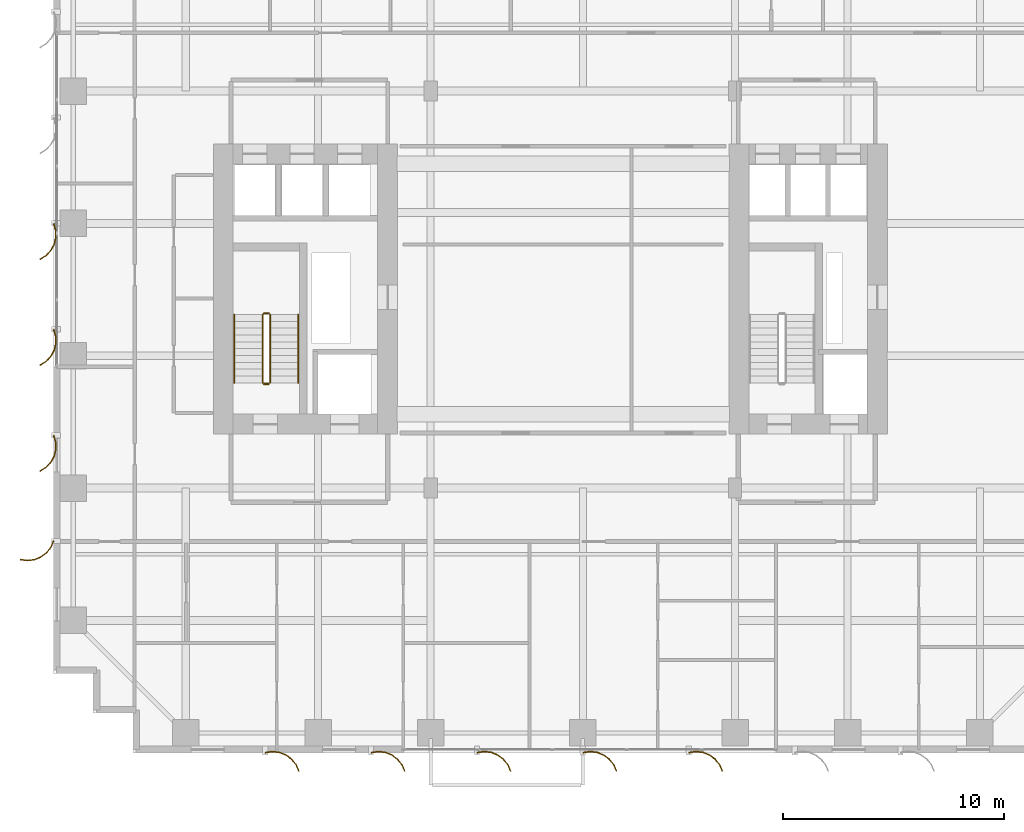
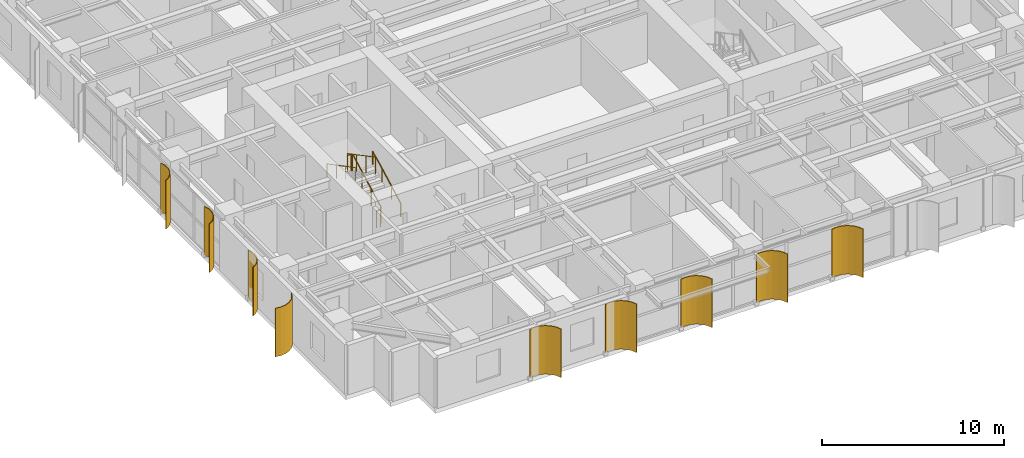
# One storey, part 22 of 25: 9 shading devices, 6 railings.
"""IFC4 building model written with IfcOpenShell, lengths in metres."""

from ifc_helpers import new_model, si_unit, direction, frame, origin, origin_2d, place, context, subcontext, project, spatial, polyline, circle, outline, extrude, source, transform, mapped, material, layer, layer_set, type_object, element, save


model = new_model("IFC4")

# Units and contexts
model_context = context("Model", 3, precision=1e-05, world=origin(), true_north=direction((0.0, 1.0)))
body_context = subcontext(model_context, "Body", "Model", "MODEL_VIEW")
ifc_project = project(units=[si_unit("LENGTHUNIT", "METRE"), si_unit("AREAUNIT", "SQUARE_METRE"), si_unit("VOLUMEUNIT", "CUBIC_METRE"), si_unit("PLANEANGLEUNIT", "RADIAN"), si_unit("MASSUNIT", "GRAM", prefix="KILO")], contexts=[model_context])

# Site, building, storey
site_placement = place(None, origin())
site = spatial("IfcSite", under=ifc_project, at=site_placement, CompositionType="ELEMENT")
building_placement = place(site_placement, origin())
building = spatial("IfcBuilding", under=site, at=building_placement, Name="Khoralis Quay Care Tower", CompositionType="ELEMENT")
storey_placement = place(building_placement, frame((0.0, 0.0, 65.699951171875)))
storey = spatial("IfcBuildingStorey", under=building, at=storey_placement, Name="L17", CompositionType="ELEMENT", Elevation=65.699951171875)

# Railings
ifc_material_1 = material(Name="Brushed stainless steel", Category="steel")
railing_type_1 = type_object("IfcRailingType", Name="RL-GUARD-1150", PredefinedType="GUARDRAIL", material=ifc_material_1)
railing_1_placement = place(storey_placement, frame((9.820068359375, 16.77001953125, 0.16357421875)))
element("IfcRailing", 1, at=railing_1_placement, inside=storey, type_object=railing_type_1, Name="L17 ST-T1 stair guard 1", PredefinedType="GUARDRAIL", context=body_context, shape_type="SweptSolid", body=[
    extrude(circle(Radius=0.02392578125, at=origin_2d()), frame((0.0, 0.0, 1.1259765625), z_axis=(0.0, 0.884348015382, 0.466828220752), x_axis=(-1.0, 0.0, 0.0)), (0.0, 0.0, 1.0), 3.505615234375),
    extrude(circle(Radius=0.02099609375, at=origin_2d()), origin(), (0.0, 0.0, 1.0), 1.101806640625),
    extrude(circle(Radius=0.02099609375, at=origin_2d()), frame((0.0, 1.033447265625, 0.54541015625)), (0.0, 0.0, 1.0), 1.101806640625),
    extrude(circle(Radius=0.02099609375, at=origin_2d()), frame((0.0, 2.066650390625, 1.091064453125)), (0.0, 0.0, 1.0), 1.101806640625),
    extrude(circle(Radius=0.02099609375, at=origin_2d()), frame((0.0, 3.10009765625, 1.636474609375)), (0.0, 0.0, 1.0), 1.101806640625),
])
railing_2_placement = place(storey_placement, frame((9.77001953125, 19.919921875, 1.800048828125)))
element("IfcRailing", 2, at=railing_2_placement, inside=storey, type_object=railing_type_1, Name="L17 ST-T1 stair guard 2", PredefinedType="GUARDRAIL", context=body_context, shape_type="SweptSolid", body=[
    extrude(circle(Radius=0.02392578125, at=origin_2d()), frame((0.0, 0.0, 1.1259765625), z_axis=(-1.0, 0.0, 0.0), x_axis=(0.0, -1.0, 0.0)), (0.0, 0.0, 1.0), 0.239990234375),
    extrude(circle(Radius=0.02099609375, at=origin_2d()), origin(), (0.0, 0.0, 1.0), 1.101806640625),
    extrude(circle(Radius=0.02099609375, at=origin_2d()), frame((-0.239990234375, 0.0, 0.0)), (0.0, 0.0, 1.0), 1.101806640625),
])
railing_3_placement = place(storey_placement, frame((9.47998046875, 19.8701171875, 1.963623046875)))
element("IfcRailing", 3, at=railing_3_placement, inside=storey, type_object=railing_type_1, Name="L17 ST-T1 stair guard 3", PredefinedType="GUARDRAIL", context=body_context, shape_type="SweptSolid", body=[
    extrude(circle(Radius=0.02392578125, at=origin_2d()), frame((0.0, 0.0, 1.1259765625), z_axis=(0.0, -0.884348015382, 0.466828220752), x_axis=(1.0, 0.0, 0.0)), (0.0, 0.0, 1.0), 3.505615234375),
    extrude(circle(Radius=0.02099609375, at=origin_2d()), origin(), (0.0, 0.0, 1.0), 1.101806640625),
    extrude(circle(Radius=0.02099609375, at=origin_2d()), frame((0.0, -1.033447265625, 0.54541015625)), (0.0, 0.0, 1.0), 1.101806640625),
    extrude(circle(Radius=0.02099609375, at=origin_2d()), frame((0.0, -2.066650390625, 1.091064453125)), (0.0, 0.0, 1.0), 1.101806640625),
    extrude(circle(Radius=0.02099609375, at=origin_2d()), frame((0.0, -3.10009765625, 1.636474609375)), (0.0, 0.0, 1.0), 1.101806640625),
])
railing_4_placement = place(storey_placement, frame((9.77001953125, 16.719970703125, 0.0)))
element("IfcRailing", 4, at=railing_4_placement, inside=storey, type_object=railing_type_1, Name="L17 ST-T1 stair guard 4", PredefinedType="GUARDRAIL", context=body_context, shape_type="SweptSolid", body=[
    extrude(circle(Radius=0.02392578125, at=origin_2d()), frame((0.0, 0.0, 1.1259765625), z_axis=(-1.0, 0.0, 0.0), x_axis=(0.0, -1.0, 0.0)), (0.0, 0.0, 1.0), 0.239990234375),
    extrude(circle(Radius=0.02099609375, at=origin_2d()), origin(), (0.0, 0.0, 1.0), 1.101806640625),
    extrude(circle(Radius=0.02099609375, at=origin_2d()), frame((-0.239990234375, 0.0, 0.0)), (0.0, 0.0, 1.0), 1.101806640625),
])
railing_type_2 = type_object("IfcRailingType", Name="RL-HAND-900", PredefinedType="HANDRAIL", material=ifc_material_1)
railing_5_placement = place(storey_placement, frame((11.10009765625, 16.77001953125, 0.16357421875)))
element("IfcRailing", 5, at=railing_5_placement, inside=storey, type_object=railing_type_2, Name="L17 ST-T1 stair handrail 1", PredefinedType="HANDRAIL", context=body_context, shape_type="SweptSolid", body=[
    extrude(circle(Radius=0.02392578125, at=origin_2d()), frame((0.0, 0.0, 0.8759765625), z_axis=(0.0, 0.884348015382, 0.466828220752), x_axis=(-1.0, 0.0, 0.0)), (0.0, 0.0, 1.0), 3.505615234375),
    extrude(circle(Radius=0.02099609375, at=origin_2d()), origin(), (0.0, 0.0, 1.0), 0.851806640625),
    extrude(circle(Radius=0.02099609375, at=origin_2d()), frame((0.0, 1.033447265625, 0.54541015625)), (0.0, 0.0, 1.0), 0.851806640625),
    extrude(circle(Radius=0.02099609375, at=origin_2d()), frame((0.0, 2.066650390625, 1.091064453125)), (0.0, 0.0, 1.0), 0.851806640625),
    extrude(circle(Radius=0.02099609375, at=origin_2d()), frame((0.0, 3.10009765625, 1.636474609375)), (0.0, 0.0, 1.0), 0.851806640625),
])
railing_6_placement = place(storey_placement, frame((8.199951171875, 19.8701171875, 1.963623046875)))
element("IfcRailing", 6, at=railing_6_placement, inside=storey, type_object=railing_type_2, Name="L17 ST-T1 stair handrail 2", PredefinedType="HANDRAIL", context=body_context, shape_type="SweptSolid", body=[
    extrude(circle(Radius=0.02392578125, at=origin_2d()), frame((0.0, 0.0, 0.8759765625), z_axis=(0.0, -0.884348015382, 0.466828220752), x_axis=(1.0, 0.0, 0.0)), (0.0, 0.0, 1.0), 3.505615234375),
    extrude(circle(Radius=0.02099609375, at=origin_2d()), origin(), (0.0, 0.0, 1.0), 0.851806640625),
    extrude(circle(Radius=0.02099609375, at=origin_2d()), frame((0.0, -1.033447265625, 0.54541015625)), (0.0, 0.0, 1.0), 0.851806640625),
    extrude(circle(Radius=0.02099609375, at=origin_2d()), frame((0.0, -2.066650390625, 1.091064453125)), (0.0, 0.0, 1.0), 0.851806640625),
    extrude(circle(Radius=0.02099609375, at=origin_2d()), frame((0.0, -3.10009765625, 1.636474609375)), (0.0, 0.0, 1.0), 0.851806640625),
])

# Shading devices
ifc_material_2 = material(Name="Brushed pale anodised aluminium", Category="aluminium")
ifc_layer = layer(ifc_material_2, 0.044921875)
ifc_layer_set = layer_set([ifc_layer], Name="Brushed pale anodised aluminium")
shading_device_type = type_object("IfcShadingDeviceType", Name="SHD-FIN-1250", PredefinedType="USERDEFINED", material=ifc_layer_set)
shared_shape_1 = source(origin(), body_context, "Body", "SweptSolid", [
    extrude(outline(polyline([(0.0, 0.0), (0.130126953125, 0.29931640625), (0.333251953125, 0.5546875), (0.595458984375, 0.748779296875), (0.899169921875, 0.868408203125), (1.223388671875, 0.9052734375), (1.546142578125, 0.85693359375), (1.53369140625, 0.813720703125), (1.22265625, 0.8603515625), (0.91015625, 0.82470703125), (0.617431640625, 0.70947265625), (0.364501953125, 0.522216796875), (0.168701171875, 0.276123046875), (0.043212890625, -0.012451171875), (0.0, 0.0)])), origin(), (0.0, 0.0, 1.0), 3.260009765625),
])
shading_device_placement = place(storey_placement, frame((0.030029296875, 9.60009765625, 0.02001953125), z_axis=(0.0, 0.0, 1.0), x_axis=(-1.0, 0.0, 0.0)))
element("IfcShadingDevice", 7, at=shading_device_placement, inside=storey, type_object=shading_device_type, Name="L17 Curved Solar Fin P1E15-07", ObjectType="FIN", PredefinedType="USERDEFINED", context=body_context, shape_type="MappedRepresentation", body=[
    mapped(shared_shape_1, transform((0.0, 0.0, 0.0), scale=1.0)),
])
shared_shape_2 = source(origin(), body_context, "Body", "SweptSolid", [
    extrude(outline(polyline([(0.0, 0.0), (-0.04833984375, 0.32275390625), (-0.01123046875, 0.64697265625), (0.1083984375, 0.950439453125), (0.302490234375, 1.212890625), (0.557861328125, 1.416015625), (0.85693359375, 1.546142578125), (0.869384765625, 1.5029296875), (0.5810546875, 1.37744140625), (0.334716796875, 1.181640625), (0.147705078125, 0.9287109375), (0.032470703125, 0.635986328125), (-0.003173828125, 0.323486328125), (0.043212890625, 0.012451171875), (0.0, 0.0)])), origin(), (0.0, 0.0, 1.0), 3.260009765625),
])
for number, where, z_axis, x_axis, name in (
    (8, (9.60009765625, 0.030029296875, 0.02001953125), (0.0, 0.0, 1.0), (0.0, -1.0, 0.0), "L17 Curved Solar Fin P1E0-01"),
    (9, (14.39990234375, 0.030029296875, 0.02001953125), (0.0, 0.0, 1.0), (0.0, -1.0, 0.0), "L17 Curved Solar Fin P1E0-02"),
    (10, (19.199951171875, 0.030029296875, 0.02001953125), (0.0, 0.0, 1.0), (0.0, -1.0, 0.0), "L17 Curved Solar Fin P1E0-03"),
    (11, (24.0, 0.030029296875, 0.02001953125), (0.0, 0.0, 1.0), (0.0, -1.0, 0.0), "L17 Curved Solar Fin P1E0-04"),
    (12, (28.800048828125, 0.030029296875, 0.02001953125), (0.0, 0.0, 1.0), (0.0, -1.0, 0.0), "L17 Curved Solar Fin P1E0-05"),
):
    element("IfcShadingDevice", number, at=place(storey_placement, frame(where, z_axis=z_axis, x_axis=x_axis)), inside=storey, type_object=shading_device_type, Name=name, ObjectType="FIN", PredefinedType="USERDEFINED", context=body_context, shape_type="MappedRepresentation", body=[
        mapped(shared_shape_2, transform((0.0, 0.0, 0.0), scale=1.0)),
    ])
shared_shape_3 = source(origin(), body_context, "Body", "SweptSolid", [
    extrude(outline(polyline([(0.0, 0.0), (-0.0927734375, 0.31298828125), (-0.101318359375, 0.63916015625), (-0.025146484375, 0.956298828125), (0.130615234375, 1.2431640625), (0.355224609375, 1.479736328125), (0.633544921875, 1.650390625), (0.65185546875, 1.609130859375), (0.383544921875, 1.44482421875), (0.1669921875, 1.216796875), (0.01708984375, 0.940185546875), (-0.056396484375, 0.63427734375), (-0.04833984375, 0.31982421875), (0.041015625, 0.018310546875), (0.0, 0.0)])), origin(), (0.0, 0.0, 1.0), 3.260009765625),
])
for number, where, z_axis, x_axis, name in (
    (13, (0.030029296875, 24.0, 0.02001953125), (0.0, 0.0, 1.0), (-1.0, 0.0, 0.0), "L17 Curved Solar Fin P1E15-04"),
    (14, (0.030029296875, 19.199951171875, 0.02001953125), (0.0, 0.0, 1.0), (-1.0, 0.0, 0.0), "L17 Curved Solar Fin P1E15-05"),
    (15, (0.030029296875, 14.39990234375, 0.02001953125), (0.0, 0.0, 1.0), (-1.0, 0.0, 0.0), "L17 Curved Solar Fin P1E15-06"),
):
    element("IfcShadingDevice", number, at=place(storey_placement, frame(where, z_axis=z_axis, x_axis=x_axis)), inside=storey, type_object=shading_device_type, Name=name, ObjectType="FIN", PredefinedType="USERDEFINED", context=body_context, shape_type="MappedRepresentation", body=[
        mapped(shared_shape_3, transform((0.0, 0.0, 0.0), scale=1.0)),
    ])

save(model, "model.ifc")
